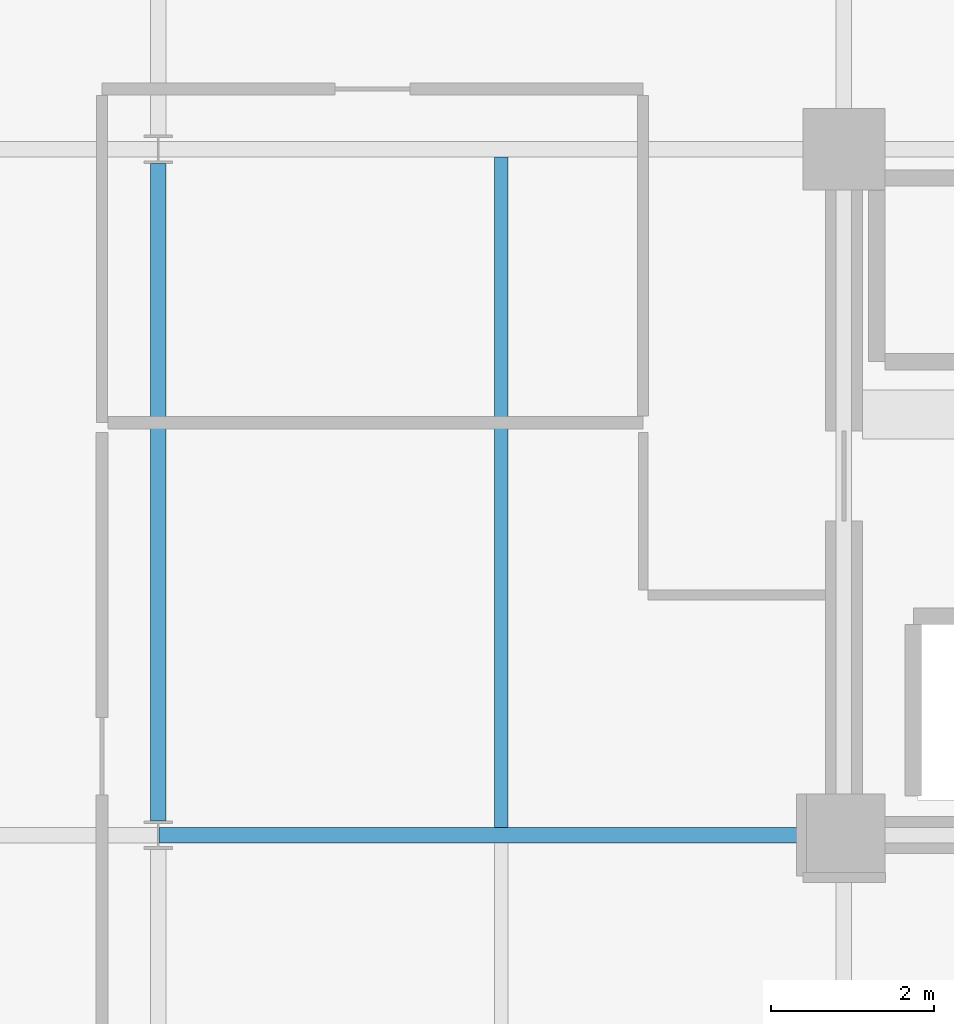
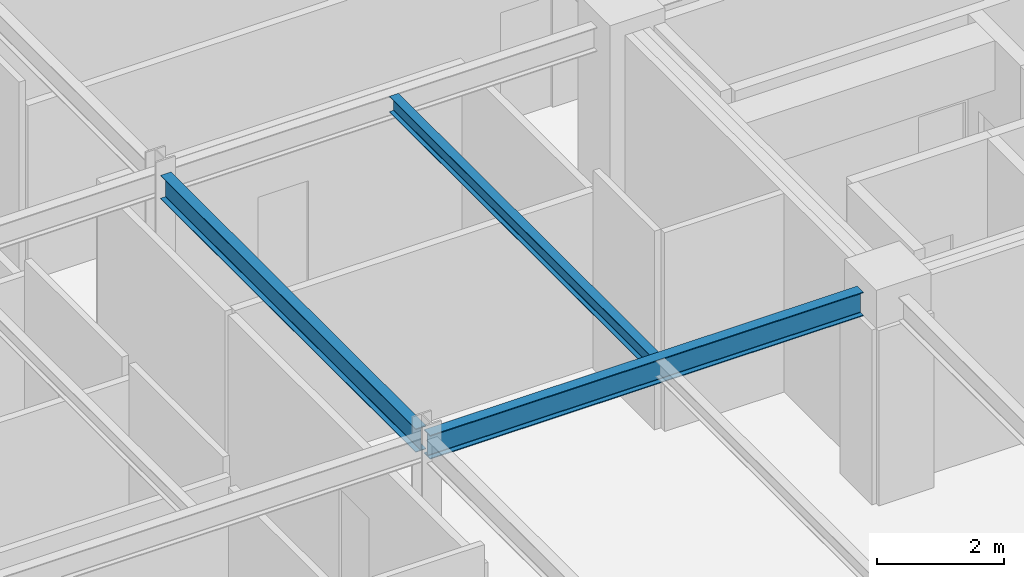
# One storey, part 5 of 25: 3 beams.
"""IFC4 building model written with IfcOpenShell, lengths in metres."""

from ifc_helpers import new_model, si_unit, direction, frame, origin, origin_2d, place, context, subcontext, project, spatial, i_section, extrude, material, material_profile, profile_set, type_object, element, save


model = new_model("IFC4")

# Units and contexts
model_context = context("Model", 3, precision=1e-05, world=origin(), true_north=direction((0.0, 1.0)))
body_context = subcontext(model_context, "Body", "Model", "MODEL_VIEW")
ifc_project = project(units=[si_unit("LENGTHUNIT", "METRE"), si_unit("AREAUNIT", "SQUARE_METRE"), si_unit("VOLUMEUNIT", "CUBIC_METRE"), si_unit("PLANEANGLEUNIT", "RADIAN"), si_unit("MASSUNIT", "GRAM", prefix="KILO")], contexts=[model_context])

# Site, building, storey
site_placement = place(None, origin())
site = spatial("IfcSite", under=ifc_project, at=site_placement, CompositionType="ELEMENT")
building_placement = place(site_placement, origin())
building = spatial("IfcBuilding", under=site, at=building_placement, Name="Nerrivon Quay Data Exchange", CompositionType="ELEMENT")
storey_placement = place(building_placement, frame((0.0, 0.0, 237.0)))
storey = spatial("IfcBuildingStorey", under=building, at=storey_placement, Name="L56", CompositionType="ELEMENT", Elevation=237.0)

# Beams
ifc_material = material(Name="Steel Grade 350", Category="steel")
ifc_material_profile_1 = material_profile(ifc_material, i_section(OverallWidth=0.19091796875, OverallDepth=0.4599609375, WebThickness=0.010009765625, FlangeThickness=0.01611328125, FilletRadius=0.011474609375, at=origin_2d()), Name="460UB82.1")
ifc_profile_set_1 = profile_set([ifc_material_profile_1], Name="Steel Grade 350")
beam_type_1 = type_object("IfcBeamType", Name="BM-G5-460UB82", PredefinedType="BEAM", material=ifc_profile_set_1)
beam_1_placement = place(storey_placement, frame((8.409912109375, 8.39990234375, 3.594970703125), z_axis=(1.0, 0.0, 0.0), x_axis=(0.0, 1.0, 0.0)))
element("IfcBeam", 1, at=beam_1_placement, inside=storey, type_object=beam_type_1, Name="L56 EW Girder Y=8.4 (8.4..16.8)", PredefinedType="BEAM", context=body_context, shape_type="SweptSolid", body=[
    extrude(i_section(OverallWidth=0.19091796875, OverallDepth=0.4599609375, WebThickness=0.010009765625, FlangeThickness=0.01611328125, FilletRadius=0.011474609375, at=origin_2d()), origin(), (0.0, 0.0, 1.0), 7.89013671875),
])
ifc_material_profile_2 = material_profile(ifc_material, i_section(OverallWidth=0.18994140625, OverallDepth=0.4541015625, WebThickness=0.008544921875, FlangeThickness=0.0126953125, FilletRadius=0.011474609375, at=origin_2d()), Name="460UB67.1")
ifc_profile_set_2 = profile_set([ifc_material_profile_2], Name="Steel Grade 350")
beam_type_2 = type_object("IfcBeamType", Name="BM-G6-460UB67", PredefinedType="BEAM", material=ifc_profile_set_2)
beam_2_placement = place(storey_placement, frame((8.39990234375, 8.574951171875, 3.597900390625), z_axis=(0.0, 1.0, 0.0), x_axis=(-1.0, 0.0, 0.0)))
element("IfcBeam", 2, at=beam_2_placement, inside=storey, type_object=beam_type_2, Name="L56 NS Girder X=8.4 (8.4..16.8)", PredefinedType="BEAM", context=body_context, shape_type="SweptSolid", body=[
    extrude(i_section(OverallWidth=0.18994140625, OverallDepth=0.4541015625, WebThickness=0.008544921875, FlangeThickness=0.0126953125, FilletRadius=0.011474609375, at=origin_2d()), origin(), (0.0, 0.0, 1.0), 8.050048828125),
])
ifc_material_profile_3 = material_profile(ifc_material, i_section(OverallWidth=0.166015625, OverallDepth=0.306884765625, WebThickness=0.006591796875, FlangeThickness=0.01171875, FilletRadius=0.011474609375, at=origin_2d()), Name="310UB46.2")
ifc_profile_set_3 = profile_set([ifc_material_profile_3], Name="Steel Grade 350")
beam_type_3 = type_object("IfcBeamType", Name="BM-J5-310UB46", PredefinedType="JOIST", material=ifc_profile_set_3)
beam_3_placement = place(storey_placement, frame((12.60009765625, 8.49560546875, 3.67138671875), z_axis=(0.0, 1.0, 0.0), x_axis=(-1.0, 0.0, 0.0)))
element("IfcBeam", 3, at=beam_3_placement, inside=storey, type_object=beam_type_3, Name="L56 Secondary Joist X=12.6 (8.4..16.8)", PredefinedType="JOIST", context=body_context, shape_type="SweptSolid", body=[
    extrude(i_section(OverallWidth=0.166015625, OverallDepth=0.306884765625, WebThickness=0.006591796875, FlangeThickness=0.01171875, FilletRadius=0.011474609375, at=origin_2d()), origin(), (0.0, 0.0, 1.0), 8.208984375),
])

save(model, "model.ifc")
